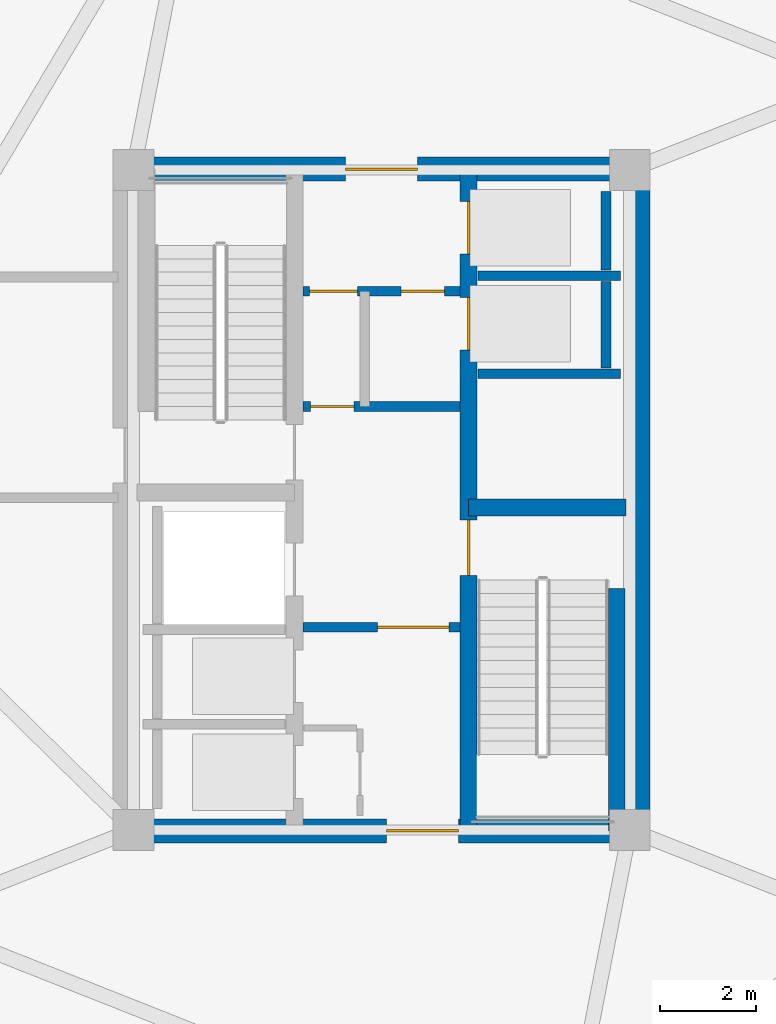
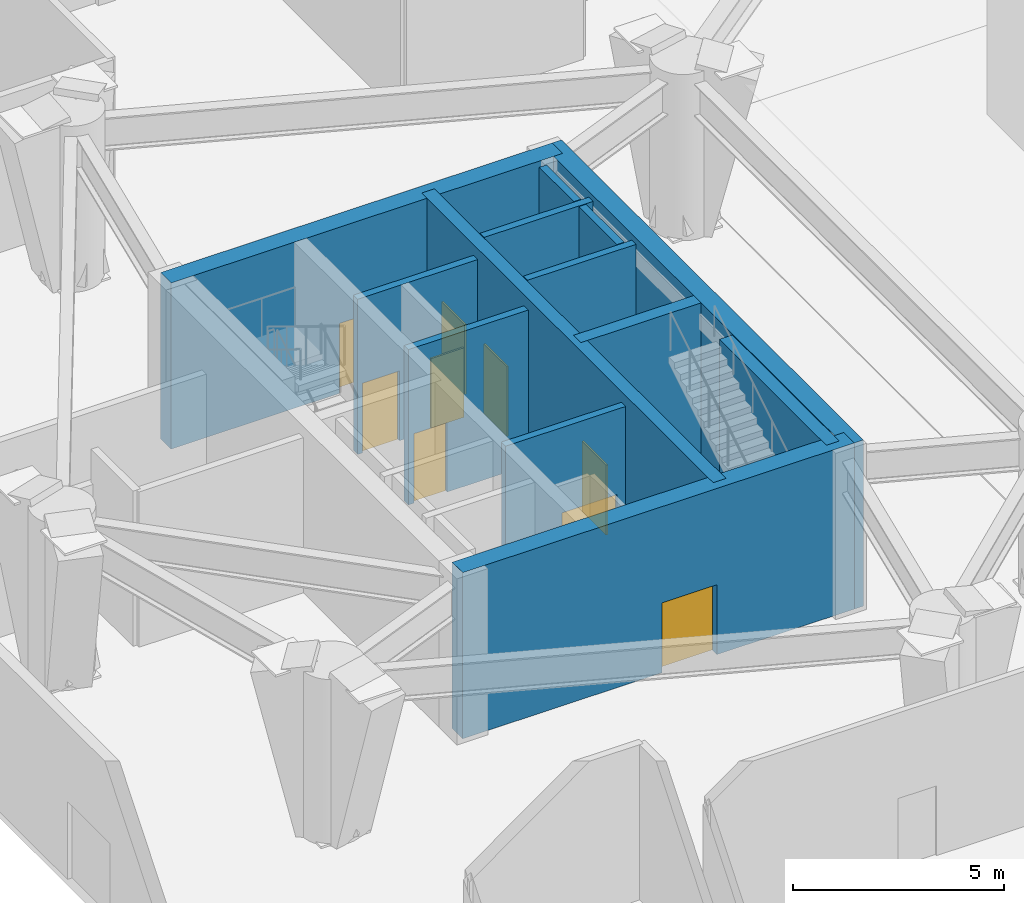
# One storey, part 6 of 17: 13 walls, 9 doors, 9 openings.
"""IFC4 building model written with IfcOpenShell, lengths in metres."""

from ifc_helpers import new_model, si_unit, direction, frame, frame_2d, origin, place, context, subcontext, project, spatial, rectangle, extrude, source, transform, mapped, material, layer, layer_set, type_object, element, fill, save


model = new_model("IFC4")

# Units and contexts
model_context = context("Model", 3, precision=1e-05, world=origin(), true_north=direction((0.0, 1.0)))
body_context = subcontext(model_context, "Body", "Model", "MODEL_VIEW")
ifc_project = project(units=[si_unit("LENGTHUNIT", "METRE"), si_unit("AREAUNIT", "SQUARE_METRE"), si_unit("VOLUMEUNIT", "CUBIC_METRE"), si_unit("PLANEANGLEUNIT", "RADIAN"), si_unit("MASSUNIT", "GRAM", prefix="KILO")], contexts=[model_context])

# Site, building, storey
site_placement = place(None, origin())
site = spatial("IfcSite", under=ifc_project, at=site_placement, CompositionType="ELEMENT")
building_placement = place(site_placement, origin())
building = spatial("IfcBuilding", under=site, at=building_placement, Name="Cununo Teusaquillo Station Towers", CompositionType="ELEMENT")
storey_placement = place(building_placement, origin())
storey = spatial("IfcBuildingStorey", under=building, at=storey_placement, Name="L00", CompositionType="ELEMENT", Elevation=0.0)

# Walls
ifc_material_1 = material(Name="Concrete C50/60", Category="concrete")
ifc_layer_1 = layer(ifc_material_1, 0.199951171875)
ifc_layer_set_1 = layer_set([ifc_layer_1], Name="Concrete C50/60")
wall_type_1 = type_object("IfcWallType", Name="WL-CORE-200", PredefinedType="SHEAR", material=ifc_layer_set_1)
for number, where, z_axis, x_axis, name in (
    (1, (18.510009765625, 27.1298828125, 0.0), (0.0, 0.0, 1.0), (1.0, 0.0, 0.0), "L00 Tower A Low-Rise Lift Hoistway South Shear Wall"),
    (2, (18.510009765625, 29.175048828125, 0.0), (0.0, 0.0, 1.0), (1.0, 0.0, 0.0), "L00 Tower A Low-Rise Lift Hoistway Divider Shear Wall"),
):
    element("IfcWall", number, at=place(storey_placement, frame(where, z_axis=z_axis, x_axis=x_axis)), inside=storey, type_object=wall_type_1, Name=name, PredefinedType="SHEAR", context=body_context, shape_type="SweptSolid", body=[
        extrude(rectangle(XDim=2.969970703125, YDim=0.199951171875, at=frame_2d((1.48486328125, 0.0))), origin(), (0.0, 0.0, 1.0), 4.800048828125),
    ])
wall_1_placement = place(storey_placement, frame((21.179931640625, 27.25, 0.0), z_axis=(0.0, 0.0, 1.0), x_axis=(0.0, 1.0, 0.0)))
element("IfcWall", 3, at=wall_1_placement, inside=storey, type_object=wall_type_1, Name="L00 Tower A Low-Rise Lift 1 Shaft Rear Shear Wall", PredefinedType="SHEAR", context=body_context, shape_type="SweptSolid", body=[
    extrude(rectangle(XDim=1.804931640625, YDim=0.199951171875, at=frame_2d((0.90234375, 0.0))), origin(), (0.0, 0.0, 1.0), 4.800048828125),
])
wall_2_placement = place(storey_placement, frame((21.179931640625, 29.294921875, 0.0), z_axis=(0.0, 0.0, 1.0), x_axis=(0.0, 1.0, 0.0)))
element("IfcWall", 4, at=wall_2_placement, inside=storey, type_object=wall_type_1, Name="L00 Tower A Low-Rise Lift 2 Shaft Rear Shear Wall", PredefinedType="SHEAR", context=body_context, shape_type="SweptSolid", body=[
    extrude(rectangle(XDim=1.635009765625, YDim=0.199951171875, at=frame_2d((0.8173828125, 0.0))), origin(), (0.0, 0.0, 1.0), 4.800048828125),
])

# Wall, openings, doors
ifc_material_2 = material(Name="Concrete C50/60", Category="concrete")
ifc_layer_2 = layer(ifc_material_2, 0.35009765625)
ifc_layer_set_2 = layer_set([ifc_layer_2], Name="Concrete C50/60")
wall_type_2 = type_object("IfcWallType", Name="WL-CORE-350", PredefinedType="SHEAR", material=ifc_layer_set_2)
wall_3_placement = place(storey_placement, frame((18.31494140625, 17.60009765625, 0.0), z_axis=(0.0, 0.0, 1.0), x_axis=(0.0, 1.0, 0.0)))
wall_3 = element("IfcWall", 5, at=wall_3_placement, inside=storey, type_object=wall_type_2, Name="L00 Tower A Core Shear Wall IE", PredefinedType="SHEAR", context=body_context, shape_type="SweptSolid", body=[
    extrude(rectangle(XDim=13.7998046875, YDim=0.35009765625, at=frame_2d((6.89990234375, 0.0))), origin(), (0.0, 0.0, 1.0), 4.800048828125),
])
shared_shape_1 = source(origin(), body_context, "Body", "SweptSolid", [
    extrude(rectangle(XDim=1.10009765625, YDim=2.014892578125, at=frame_2d((0.550048828125, 1.00732421875))), frame((0.0, 0.18505859375, 0.0), z_axis=(0.0, -1.0, 0.0), x_axis=(1.0, 0.0, 0.0)), (0.0, 0.0, 1.0), 0.3701171875),
])
opening_1_placement = place(wall_3_placement, frame((10.02490234375, 0.0, 0.0)))
opening_1 = element("IfcOpeningElement", 6, at=opening_1_placement, cuts=wall_3, Name="Opening LD-01", PredefinedType="OPENING", context=body_context, shape_type="MappedRepresentation", body=[
    mapped(shared_shape_1, transform((0.0, 0.0, 0.0), x_axis=(1.0, 0.0, 0.0), y_axis=(0.0, 1.0, 0.0), z_axis=(0.0, 0.0, 1.0), scale=1.0)),
])
opening_2_placement = place(wall_3_placement, frame((12.02490234375, 0.0, 0.0)))
opening_2 = element("IfcOpeningElement", 7, at=opening_2_placement, cuts=wall_3, Name="Opening LD-01", PredefinedType="OPENING", context=body_context, shape_type="MappedRepresentation", body=[
    mapped(shared_shape_1, transform((0.0, 0.0, 0.0), x_axis=(1.0, 0.0, 0.0), y_axis=(0.0, 1.0, 0.0), z_axis=(0.0, 0.0, 1.0), scale=1.0)),
])
shared_shape_2 = source(origin(), body_context, "Body", "SweptSolid", [
    extrude(rectangle(XDim=1.14990234375, YDim=2.02001953125, at=frame_2d((0.574951171875, 1.010009765625))), frame((0.0, 0.18505859375, 0.0), z_axis=(0.0, -1.0, 0.0), x_axis=(1.0, 0.0, 0.0)), (0.0, 0.0, 1.0), 0.3701171875),
])
opening_3_placement = place(wall_3_placement, frame((5.330078125, 0.0, 0.0)))
opening_3 = element("IfcOpeningElement", 8, at=opening_3_placement, cuts=wall_3, Name="Opening D-ST1", PredefinedType="OPENING", context=body_context, shape_type="MappedRepresentation", body=[
    mapped(shared_shape_2, transform((0.0, 0.0, 0.0), x_axis=(1.0, 0.0, 0.0), y_axis=(0.0, 1.0, 0.0), z_axis=(0.0, 0.0, 1.0), scale=1.0)),
])
ifc_material_3 = material(Name="Galvanised fire-rated hollow steel door assembly", Category="steel")
door_type_1 = type_object("IfcDoorType", Name="DR-LIFT-1100", OperationType="SLIDING_TO_LEFT", PredefinedType="DOOR", material=ifc_material_3)
shared_shape_3 = source(origin(), body_context, "Body", "SweptSolid", [
    extrude(rectangle(XDim=1.10009765625, YDim=2.014892578125, at=frame_2d((0.550048828125, 1.00732421875))), frame((0.0, 0.02490234375, 0.0), z_axis=(0.0, -1.0, 0.0), x_axis=(1.0, 0.0, 0.0)), (0.0, 0.0, 1.0), 0.050048828125),
])
door_1_placement = place(opening_1_placement, origin())
door_1 = element("IfcDoor", 9, at=door_1_placement, inside=storey, type_object=door_type_1, Name="L00 Lift PL-T1-L1 Sliding Landing Door", OperationType="SLIDING_TO_RIGHT", OverallHeight=2.014892578125, OverallWidth=1.10009765625, PredefinedType="DOOR", context=body_context, shape_type="MappedRepresentation", body=[
    mapped(shared_shape_3, transform((0.0, 0.0, 0.0), x_axis=(1.0, 0.0, 0.0), y_axis=(0.0, 1.0, 0.0), z_axis=(0.0, 0.0, 1.0), scale=1.0)),
])
fill(opening_1, door_1)
door_2_placement = place(opening_2_placement, origin())
door_2 = element("IfcDoor", 10, at=door_2_placement, inside=storey, type_object=door_type_1, Name="L00 Lift PL-T1-L2 Sliding Landing Door", OperationType="SLIDING_TO_LEFT", OverallHeight=2.014892578125, OverallWidth=1.10009765625, PredefinedType="DOOR", context=body_context, shape_type="MappedRepresentation", body=[
    mapped(shared_shape_3, transform((0.0, 0.0, 0.0), x_axis=(1.0, 0.0, 0.0), y_axis=(0.0, 1.0, 0.0), z_axis=(0.0, 0.0, 1.0), scale=1.0)),
])
fill(opening_2, door_2)
ifc_material_4 = material(Name="Galvanised fire-rated hollow steel door assembly", Category="steel")
door_type_2 = type_object("IfcDoorType", Name="DR-STAIR-1150", OperationType="NOTDEFINED", PredefinedType="DOOR", material=ifc_material_4)
shared_shape_4 = source(origin(), body_context, "Body", "SweptSolid", [
    extrude(rectangle(XDim=1.14990234375, YDim=2.02001953125, at=frame_2d((0.574951171875, 1.010009765625))), frame((0.0, 0.02490234375, 0.0), z_axis=(0.0, -1.0, 0.0), x_axis=(1.0, 0.0, 0.0)), (0.0, 0.0, 1.0), 0.050048828125),
])
door_3_placement = place(opening_3_placement, origin())
door_3 = element("IfcDoor", 11, at=door_3_placement, inside=storey, type_object=door_type_2, Name="L00 Tower A Exit Stair 2 Fire Door", OperationType="SINGLE_SWING_RIGHT", OverallHeight=2.02001953125, OverallWidth=1.14990234375, PredefinedType="DOOR", context=body_context, shape_type="MappedRepresentation", body=[
    mapped(shared_shape_4, transform((0.0, 0.0, 0.0), x_axis=(1.0, 0.0, 0.0), y_axis=(0.0, 1.0, 0.0), z_axis=(0.0, 0.0, 1.0), scale=1.0)),
])
fill(opening_3, door_3)

# Walls
wall_4_placement = place(storey_placement, frame((21.405029296875, 17.60009765625, 0.0), z_axis=(0.0, 0.0, 1.0), x_axis=(0.0, 1.0, 0.0)))
element("IfcWall", 12, at=wall_4_placement, inside=storey, type_object=wall_type_2, Name="L00 Tower A Core Shear Wall ST2E", PredefinedType="SHEAR", context=body_context, shape_type="SweptSolid", body=[
    extrude(rectangle(XDim=5.0498046875, YDim=0.35009765625, at=frame_2d((2.52490234375, 0.0))), origin(), (0.0, 0.0, 1.0), 4.800048828125),
])
wall_5_placement = place(storey_placement, frame((18.31494140625, 24.344970703125, 0.0), z_axis=(0.0, 0.0, 1.0), x_axis=(1.0, 0.0, 0.0)))
element("IfcWall", 13, at=wall_5_placement, inside=storey, type_object=wall_type_2, Name="L00 Tower A Core Shear Wall ST2N", PredefinedType="SHEAR", context=body_context, shape_type="SweptSolid", body=[
    extrude(rectangle(XDim=3.28515625, YDim=0.35009765625, at=frame_2d((1.642578125, 0.0))), origin(), (0.0, 0.0, 1.0), 4.800048828125),
])
ifc_material_5 = material(Name="Concrete C60/75", Category="concrete")
ifc_layer_3 = layer(ifc_material_5, 0.5)
ifc_layer_set_3 = layer_set([ifc_layer_3], Name="Concrete C60/75")
wall_type_3 = type_object("IfcWallType", Name="WL-CORE-500", PredefinedType="SHEAR", material=ifc_layer_set_3)
wall_6_placement = place(storey_placement, frame((21.85009765625, 17.35009765625, 0.0), z_axis=(0.0, 0.0, 1.0), x_axis=(0.0, 1.0, 0.0)))
element("IfcWall", 14, at=wall_6_placement, inside=storey, type_object=wall_type_3, Name="L00 Tower A Core Shear Wall E", PredefinedType="SHEAR", context=body_context, shape_type="SweptSolid", body=[
    extrude(rectangle(XDim=14.2998046875, YDim=0.5, at=frame_2d((7.14990234375, 0.0))), origin(), (0.0, 0.0, 1.0), 4.800048828125),
])

# Wall, opening, door
wall_7_placement = place(storey_placement, frame((11.14990234375, 17.60009765625, 0.0), z_axis=(0.0, 0.0, 1.0), x_axis=(1.0, 0.0, 0.0)))
wall_7 = element("IfcWall", 15, at=wall_7_placement, inside=storey, type_object=wall_type_3, Name="L00 Tower A Core Shear Wall S", PredefinedType="SHEAR", context=body_context, shape_type="SweptSolid", body=[
    extrude(rectangle(XDim=10.7001953125, YDim=0.5, at=frame_2d((5.35009765625, 0.0))), origin(), (0.0, 0.0, 1.0), 4.800048828125),
])
shared_shape_5 = source(origin(), body_context, "Body", "SweptSolid", [
    extrude(rectangle(XDim=1.5, YDim=2.02001953125, at=frame_2d((0.75, 1.010009765625))), frame((0.0, 0.260009765625, 0.0), z_axis=(0.0, -1.0, 0.0), x_axis=(1.0, 0.0, 0.0)), (0.0, 0.0, 1.0), 0.52001953125),
])
opening_4_placement = place(wall_7_placement, frame((5.449951171875, 0.0, 0.0)))
opening_4 = element("IfcOpeningElement", 16, at=opening_4_placement, cuts=wall_7, Name="Opening D-LB1", PredefinedType="OPENING", context=body_context, shape_type="MappedRepresentation", body=[
    mapped(shared_shape_5, transform((0.0, 0.0, 0.0), x_axis=(1.0, 0.0, 0.0), y_axis=(0.0, 1.0, 0.0), z_axis=(0.0, 0.0, 1.0), scale=1.0)),
])
ifc_material_6 = material(Name="Galvanised fire-rated hollow steel door assembly", Category="steel")
door_type_3 = type_object("IfcDoorType", Name="DR-LOBBY-1500", OperationType="DOUBLE_DOOR_SINGLE_SWING", PredefinedType="DOOR", material=ifc_material_6)
shared_shape_6 = source(origin(), body_context, "Body", "SweptSolid", [
    extrude(rectangle(XDim=1.5, YDim=2.02001953125, at=frame_2d((0.75, 1.010009765625))), frame((0.0, 0.02490234375, 0.0), z_axis=(0.0, -1.0, 0.0), x_axis=(1.0, 0.0, 0.0)), (0.0, 0.0, 1.0), 0.050048828125),
])
door_4_placement = place(opening_4_placement, origin())
door_4 = element("IfcDoor", 17, at=door_4_placement, inside=storey, type_object=door_type_3, Name="L00 Tower A South Core Lift Lobby Door", OperationType="DOUBLE_DOOR_SINGLE_SWING", OverallHeight=2.02001953125, OverallWidth=1.5, PredefinedType="DOOR", context=body_context, shape_type="MappedRepresentation", body=[
    mapped(shared_shape_6, transform((0.0, 0.0, 0.0), x_axis=(1.0, 0.0, 0.0), y_axis=(0.0, 1.0, 0.0), z_axis=(0.0, 0.0, 1.0), scale=1.0)),
])
fill(opening_4, door_4)

wall_8_placement = place(storey_placement, frame((11.14990234375, 31.39990234375, 0.0), z_axis=(0.0, 0.0, 1.0), x_axis=(1.0, 0.0, 0.0)))
wall_8 = element("IfcWall", 18, at=wall_8_placement, inside=storey, type_object=wall_type_3, Name="L00 Tower A Core Shear Wall N", PredefinedType="SHEAR", context=body_context, shape_type="SweptSolid", body=[
    extrude(rectangle(XDim=10.7001953125, YDim=0.5, at=frame_2d((5.35009765625, 0.0))), origin(), (0.0, 0.0, 1.0), 4.800048828125),
])
opening_5_placement = place(wall_8_placement, frame((4.60009765625, 0.0, 0.0)))
opening_5 = element("IfcOpeningElement", 19, at=opening_5_placement, cuts=wall_8, Name="Opening D-LB1", PredefinedType="OPENING", context=body_context, shape_type="MappedRepresentation", body=[
    mapped(shared_shape_5, transform((0.0, 0.0, 0.0), x_axis=(1.0, 0.0, 0.0), y_axis=(0.0, 1.0, 0.0), z_axis=(0.0, 0.0, 1.0), scale=1.0)),
])
door_5_placement = place(opening_5_placement, origin())
door_5 = element("IfcDoor", 20, at=door_5_placement, inside=storey, type_object=door_type_3, Name="L00 Tower A North Core Lift Lobby Door", OperationType="DOUBLE_DOOR_SINGLE_SWING", OverallHeight=2.02001953125, OverallWidth=1.5, PredefinedType="DOOR", context=body_context, shape_type="MappedRepresentation", body=[
    mapped(shared_shape_6, transform((0.0, 0.0, 0.0), x_axis=(1.0, 0.0, 0.0), y_axis=(0.0, 1.0, 0.0), z_axis=(0.0, 0.0, 1.0), scale=1.0)),
])
fill(opening_5, door_5)

ifc_material_7 = material(Name="Fire-rated gypsum plasterboard partition assembly", Category="gypsum")
ifc_layer_4 = layer(ifc_material_7, 0.199951171875)
ifc_layer_set_4 = layer_set([ifc_layer_4], Name="Fire-rated gypsum plasterboard partition assembly")
wall_type_4 = type_object("IfcWallType", Name="WL-PART-200", PredefinedType="PARTITIONING", material=ifc_layer_set_4)
wall_9_placement = place(storey_placement, frame((14.860107421875, 21.85009765625, 0.0), z_axis=(0.0, 0.0, 1.0), x_axis=(1.0, 0.0, 0.0)))
wall_9 = element("IfcWall", 21, at=wall_9_placement, inside=storey, type_object=wall_type_4, Name="L00 Tower A Firefighting Lift Lobby South Fire Wall", PredefinedType="PARTITIONING", context=body_context, shape_type="SweptSolid", body=[
    extrude(rectangle(XDim=3.27978515625, YDim=0.199951171875, at=frame_2d((1.639892578125, 0.0))), origin(), (0.0, 0.0, 1.0), 4.485107421875),
])
shared_shape_7 = source(origin(), body_context, "Body", "SweptSolid", [
    extrude(rectangle(XDim=1.5, YDim=2.02001953125, at=frame_2d((0.75, 1.010009765625))), frame((0.0, 0.10986328125, 0.0), z_axis=(0.0, -1.0, 0.0), x_axis=(1.0, 0.0, 0.0)), (0.0, 0.0, 1.0), 0.219970703125),
])
opening_6_placement = place(wall_9_placement, frame((1.550048828125, 0.0, 0.0)))
opening_6 = element("IfcOpeningElement", 22, at=opening_6_placement, cuts=wall_9, Name="Opening D-LB1", PredefinedType="OPENING", context=body_context, shape_type="MappedRepresentation", body=[
    mapped(shared_shape_7, transform((0.0, 0.0, 0.0), x_axis=(1.0, 0.0, 0.0), y_axis=(0.0, 1.0, 0.0), z_axis=(0.0, 0.0, 1.0), scale=1.0)),
])
door_6_placement = place(opening_6_placement, origin())
door_6 = element("IfcDoor", 23, at=door_6_placement, inside=storey, type_object=door_type_3, Name="L00 Tower A Firefighting Lift Lobby South Fire Door", OperationType="DOUBLE_DOOR_SINGLE_SWING", OverallHeight=2.02001953125, OverallWidth=1.5, PredefinedType="DOOR", context=body_context, shape_type="MappedRepresentation", body=[
    mapped(shared_shape_6, transform((0.0, 0.0, 0.0), x_axis=(1.0, 0.0, 0.0), y_axis=(0.0, 1.0, 0.0), z_axis=(0.0, 0.0, 1.0), scale=1.0)),
])
fill(opening_6, door_6)

wall_10_placement = place(storey_placement, frame((14.860107421875, 26.449951171875, 0.0), z_axis=(0.0, 0.0, 1.0), x_axis=(1.0, 0.0, 0.0)))
wall_10 = element("IfcWall", 24, at=wall_10_placement, inside=storey, type_object=wall_type_4, Name="L00 Tower A Firefighting Lift Lobby North Fire Wall", PredefinedType="PARTITIONING", context=body_context, shape_type="SweptSolid", body=[
    extrude(rectangle(XDim=3.27978515625, YDim=0.199951171875, at=frame_2d((1.639892578125, 0.0))), origin(), (0.0, 0.0, 1.0), 4.485107421875),
])
shared_shape_8 = source(origin(), body_context, "Body", "SweptSolid", [
    extrude(rectangle(XDim=0.89990234375, YDim=2.0048828125, at=frame_2d((0.449951171875, 1.00244140625))), frame((0.0, 0.10986328125, 0.0), z_axis=(0.0, -1.0, 0.0), x_axis=(1.0, 0.0, 0.0)), (0.0, 0.0, 1.0), 0.219970703125),
])
opening_7_placement = place(wall_10_placement, frame((0.159912109375, 0.0, 0.0)))
opening_7 = element("IfcOpeningElement", 25, at=opening_7_placement, cuts=wall_10, Name="Opening D-SR1", PredefinedType="OPENING", context=body_context, shape_type="MappedRepresentation", body=[
    mapped(shared_shape_8, transform((0.0, 0.0, 0.0), x_axis=(1.0, 0.0, 0.0), y_axis=(0.0, 1.0, 0.0), z_axis=(0.0, 0.0, 1.0), scale=1.0)),
])
ifc_material_8 = material(Name="Galvanised fire-rated hollow steel door assembly", Category="steel")
door_type_4 = type_object("IfcDoorType", Name="DR-STORE-900", OperationType="NOTDEFINED", PredefinedType="DOOR", material=ifc_material_8)
shared_shape_9 = source(origin(), body_context, "Body", "SweptSolid", [
    extrude(rectangle(XDim=0.89990234375, YDim=2.0048828125, at=frame_2d((0.449951171875, 1.00244140625))), frame((0.0, 0.02490234375, 0.0), z_axis=(0.0, -1.0, 0.0), x_axis=(1.0, 0.0, 0.0)), (0.0, 0.0, 1.0), 0.050048828125),
])
door_7_placement = place(opening_7_placement, origin())
door_7 = element("IfcDoor", 26, at=door_7_placement, inside=storey, type_object=door_type_4, Name="L00 Tower A Stair 1 Protected Vestibule South Door", OperationType="SINGLE_SWING_LEFT", OverallHeight=2.0048828125, OverallWidth=0.89990234375, PredefinedType="DOOR", context=body_context, shape_type="MappedRepresentation", body=[
    mapped(shared_shape_9, transform((0.0, 0.0, 0.0), x_axis=(1.0, 0.0, 0.0), y_axis=(0.0, 1.0, 0.0), z_axis=(0.0, 0.0, 1.0), scale=1.0)),
])
fill(opening_7, door_7)

# Wall, openings, doors
wall_11_placement = place(storey_placement, frame((14.860107421875, 28.85009765625, 0.0), z_axis=(0.0, 0.0, 1.0), x_axis=(1.0, 0.0, 0.0)))
wall_11 = element("IfcWall", 27, at=wall_11_placement, inside=storey, type_object=wall_type_4, Name="L00 Tower A North Lift Lobby South Fire Wall", PredefinedType="PARTITIONING", context=body_context, shape_type="SweptSolid", body=[
    extrude(rectangle(XDim=3.27978515625, YDim=0.199951171875, at=frame_2d((1.639892578125, 0.0))), origin(), (0.0, 0.0, 1.0), 4.485107421875),
])
shared_shape_10 = source(origin(), body_context, "Body", "SweptSolid", [
    extrude(rectangle(XDim=1.0, YDim=2.014892578125, at=frame_2d((0.5, 1.00732421875))), frame((0.0, 0.10986328125, 0.0), z_axis=(0.0, -1.0, 0.0), x_axis=(1.0, 0.0, 0.0)), (0.0, 0.0, 1.0), 0.219970703125),
])
opening_8_placement = place(wall_11_placement, frame((0.139892578125, 0.0, 0.0)))
opening_8 = element("IfcOpeningElement", 28, at=opening_8_placement, cuts=wall_11, Name="Opening D-AC1", PredefinedType="OPENING", context=body_context, shape_type="MappedRepresentation", body=[
    mapped(shared_shape_10, transform((0.0, 0.0, 0.0), x_axis=(1.0, 0.0, 0.0), y_axis=(0.0, 1.0, 0.0), z_axis=(0.0, 0.0, 1.0), scale=1.0)),
])
opening_9_placement = place(wall_11_placement, frame((2.050048828125, 0.0, 0.0)))
opening_9 = element("IfcOpeningElement", 29, at=opening_9_placement, cuts=wall_11, Name="Opening D-SR1", PredefinedType="OPENING", context=body_context, shape_type="MappedRepresentation", body=[
    mapped(shared_shape_8, transform((0.0, 0.0, 0.0), x_axis=(1.0, 0.0, 0.0), y_axis=(0.0, 1.0, 0.0), z_axis=(0.0, 0.0, 1.0), scale=1.0)),
])
door_8_placement = place(opening_9_placement, origin())
door_8 = element("IfcDoor", 30, at=door_8_placement, inside=storey, type_object=door_type_4, Name="L00 Tower A Core Housekeeping & Linen Store Door", OperationType="SINGLE_SWING_RIGHT", OverallHeight=2.0048828125, OverallWidth=0.89990234375, PredefinedType="DOOR", context=body_context, shape_type="MappedRepresentation", body=[
    mapped(shared_shape_9, transform((0.0, 0.0, 0.0), x_axis=(1.0, 0.0, 0.0), y_axis=(0.0, 1.0, 0.0), z_axis=(0.0, 0.0, 1.0), scale=1.0)),
])
fill(opening_9, door_8)
ifc_material_9 = material(Name="Acoustic solid-core hardwood leaf assembly", Category="wood")
door_type_5 = type_object("IfcDoorType", Name="DR-ACC-1000", OperationType="NOTDEFINED", PredefinedType="DOOR", material=ifc_material_9)
shared_shape_11 = source(origin(), body_context, "Body", "SweptSolid", [
    extrude(rectangle(XDim=1.0, YDim=2.014892578125, at=frame_2d((0.5, 1.00732421875))), frame((0.0, 0.02490234375, 0.0), z_axis=(0.0, -1.0, 0.0), x_axis=(1.0, 0.0, 0.0)), (0.0, 0.0, 1.0), 0.050048828125),
])
door_9_placement = place(opening_8_placement, origin())
door_9 = element("IfcDoor", 31, at=door_9_placement, inside=storey, type_object=door_type_5, Name="L00 Tower A North Lift Lobby to Stair 1 Vestibule Door", OperationType="SINGLE_SWING_RIGHT", OverallHeight=2.014892578125, OverallWidth=1.0, PredefinedType="DOOR", context=body_context, shape_type="MappedRepresentation", body=[
    mapped(shared_shape_11, transform((0.0, 0.0, 0.0), x_axis=(1.0, 0.0, 0.0), y_axis=(0.0, 1.0, 0.0), z_axis=(0.0, 0.0, 1.0), scale=1.0)),
])
fill(opening_8, door_9)

save(model, "model.ifc")
